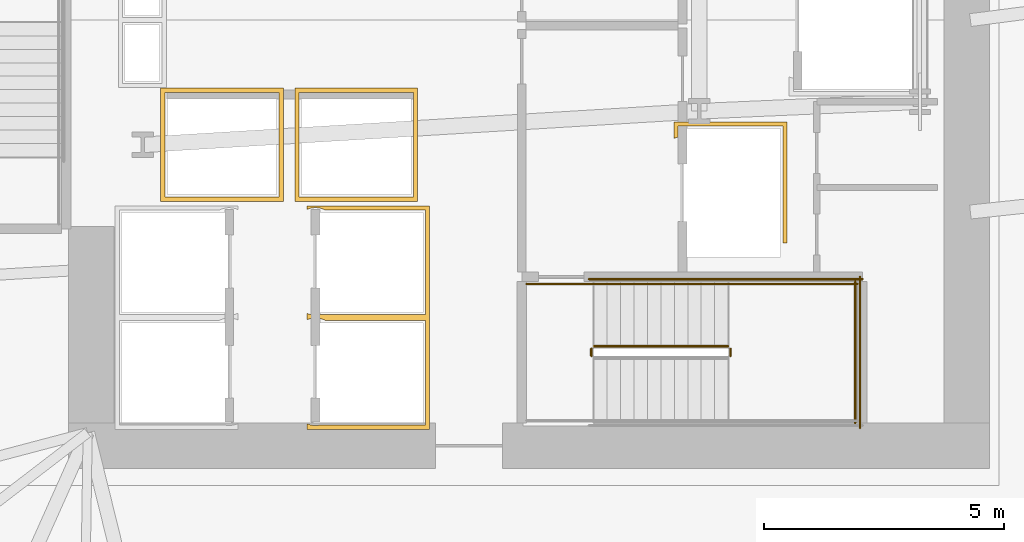
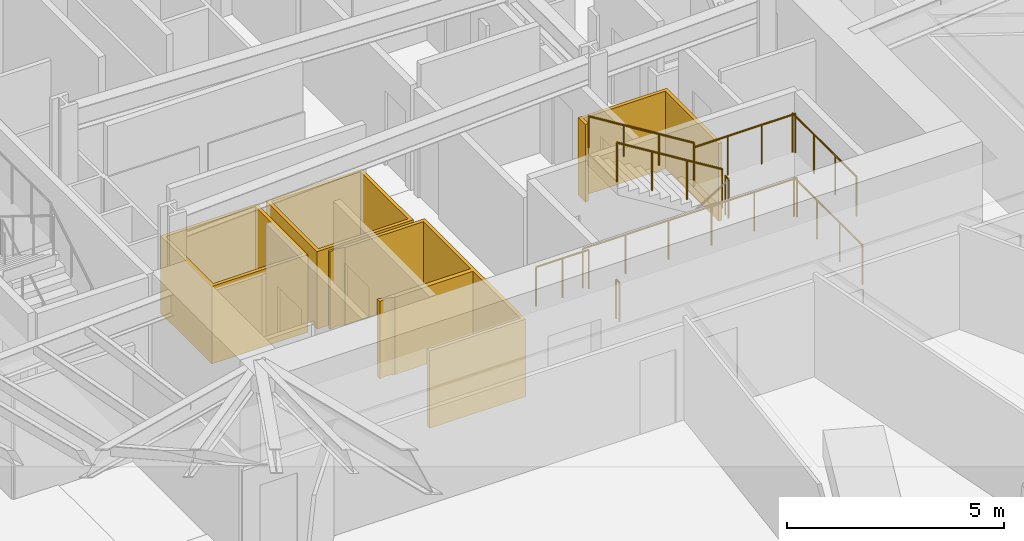
# One storey, part 13 of 17: 9 railings, 4 coverings.
"""IFC4 building model written with IfcOpenShell, lengths in metres."""

from ifc_helpers import new_model, si_unit, direction, frame, origin, origin_2d, place, context, subcontext, project, spatial, polyline, circle, outline, extrude, material, layer, layer_set, type_object, element, save


model = new_model("IFC4")

# Units and contexts
model_context = context("Model", 3, precision=1e-05, world=origin(), true_north=direction((0.0, 1.0)))
body_context = subcontext(model_context, "Body", "Model", "MODEL_VIEW")
ifc_project = project(units=[si_unit("LENGTHUNIT", "METRE"), si_unit("AREAUNIT", "SQUARE_METRE"), si_unit("VOLUMEUNIT", "CUBIC_METRE"), si_unit("PLANEANGLEUNIT", "RADIAN"), si_unit("MASSUNIT", "GRAM", prefix="KILO")], contexts=[model_context])

# Site, building, storey
site_placement = place(None, origin())
site = spatial("IfcSite", under=ifc_project, at=site_placement, CompositionType="ELEMENT")
building_placement = place(site_placement, origin())
building = spatial("IfcBuilding", under=site, at=building_placement, Name="Valkerne Bourse Tower", CompositionType="ELEMENT")
storey_placement = place(building_placement, frame((0.0, 0.0, 116.199951171875)))
storey = spatial("IfcBuildingStorey", under=building, at=storey_placement, Name="L29", CompositionType="ELEMENT", Elevation=116.199951171875)

# Coverings
ifc_material_1 = material(Name="Gypsum Shaftwall Liner Board", Category="gypsum")
ifc_layer = layer(ifc_material_1, 0.080078125)
ifc_layer_set = layer_set([ifc_layer], Name="Gypsum Shaftwall Liner Board")
covering_type = type_object("IfcCoveringType", Name="COV-SHF-CLAD", PredefinedType="CLADDING", material=ifc_layer_set)
covering_1_placement = place(storey_placement, origin())
element("IfcCovering", 1, at=covering_1_placement, inside=storey, type_object=covering_type, Name="L29 Hoistway & Riser Shaftwall Liner 02", PredefinedType="CLADDING", context=body_context, shape_type="SweptSolid", body=[
    extrude(outline(polyline([(41.679931640625, 23.219970703125), (39.1201171875, 23.219970703125), (39.1201171875, 25.580078125), (41.679931640625, 25.580078125), (41.679931640625, 23.219970703125)]), holes=[polyline([(39.2099609375, 25.489990234375), (39.2099609375, 23.31005859375), (41.590087890625, 23.31005859375), (41.590087890625, 25.489990234375), (39.2099609375, 25.489990234375)])]), origin(), (0.0, 0.0, 1.0), 2.179931640625),
])
covering_2_placement = place(storey_placement, origin())
element("IfcCovering", 2, at=covering_2_placement, inside=storey, type_object=covering_type, Name="L29 Hoistway & Riser Shaftwall Liner 03", PredefinedType="CLADDING", context=body_context, shape_type="SweptSolid", body=[
    extrude(outline(polyline([(44.47998046875, 23.219970703125), (41.919921875, 23.219970703125), (41.919921875, 25.580078125), (44.47998046875, 25.580078125), (44.47998046875, 23.219970703125)]), holes=[polyline([(42.010009765625, 25.489990234375), (42.010009765625, 23.31005859375), (44.389892578125, 23.31005859375), (44.389892578125, 25.489990234375), (42.010009765625, 25.489990234375)])]), origin(), (0.0, 0.0, 1.0), 2.179931640625),
])
covering_3_placement = place(storey_placement, origin())
element("IfcCovering", 3, at=covering_3_placement, inside=storey, type_object=covering_type, Name="L29 Hoistway & Riser Shaftwall Liner 06", PredefinedType="CLADDING", context=body_context, shape_type="SweptSolid", body=[
    extrude(outline(polyline([(42.169921875, 20.830078125), (42.169921875, 20.887939453125), (42.177734375, 20.88427734375), (42.219482421875, 20.869384765625), (42.26220703125, 20.858642578125), (42.305908203125, 20.852294921875), (42.35009765625, 20.85009765625), (42.39404296875, 20.852294921875), (42.437744140625, 20.858642578125), (42.443115234375, 20.860107421875), (44.639892578125, 20.860107421875), (44.639892578125, 23.0400390625), (42.555419921875, 23.0400390625), (42.522216796875, 23.0556640625), (42.480712890625, 23.070556640625), (42.437744140625, 23.081298828125), (42.39404296875, 23.087890625), (42.35009765625, 23.090087890625), (42.305908203125, 23.087890625), (42.26220703125, 23.081298828125), (42.219482421875, 23.070556640625), (42.177734375, 23.0556640625), (42.169921875, 23.052001953125), (42.169921875, 23.1298828125), (44.72998046875, 23.1298828125), (44.72998046875, 20.830078125), (44.72998046875, 20.77001953125), (44.72998046875, 18.469970703125), (42.169921875, 18.469970703125), (42.169921875, 18.587890625), (42.177734375, 18.584228515625), (42.219482421875, 18.5693359375), (42.26220703125, 18.55859375), (42.305908203125, 18.55224609375), (42.35009765625, 18.550048828125), (42.39404296875, 18.55224609375), (42.437744140625, 18.55859375), (42.443115234375, 18.56005859375), (44.639892578125, 18.56005859375), (44.639892578125, 20.739990234375), (42.555419921875, 20.739990234375), (42.522216796875, 20.755615234375), (42.480712890625, 20.7705078125), (42.437744140625, 20.781494140625), (42.39404296875, 20.787841796875), (42.35009765625, 20.7900390625), (42.305908203125, 20.787841796875), (42.26220703125, 20.781494140625), (42.219482421875, 20.7705078125), (42.177734375, 20.755615234375), (42.169921875, 20.752197265625), (42.169921875, 20.77001953125), (42.169921875, 20.830078125)])), origin(), (0.0, 0.0, 1.0), 2.179931640625),
])
covering_4_placement = place(storey_placement, origin())
element("IfcCovering", 4, at=covering_4_placement, inside=storey, type_object=covering_type, Name="L29 Hoistway & Riser Shaftwall Liner 07", PredefinedType="CLADDING", context=body_context, shape_type="SweptSolid", body=[
    extrude(outline(polyline([(52.179931640625, 22.35009765625), (52.090087890625, 22.35009765625), (52.090087890625, 24.7900390625), (49.909912109375, 24.7900390625), (49.909912109375, 24.560791015625), (49.869384765625, 24.550537109375), (49.827880859375, 24.53564453125), (49.820068359375, 24.531982421875), (49.820068359375, 24.8798828125), (52.179931640625, 24.8798828125), (52.179931640625, 22.35009765625)])), origin(), (0.0, 0.0, 1.0), 2.179931640625),
])

# Railings
ifc_material_2 = material(Name="Galvanised Painted Steel", Category="steel")
railing_type_1 = type_object("IfcRailingType", Name="RLG-ST-GUARD-1120", PredefinedType="GUARDRAIL", material=ifc_material_2)
railing_1_placement = place(storey_placement, frame((51.0, 20.0, 1.900146484375)))
element("IfcRailing", 5, at=railing_1_placement, inside=storey, type_object=railing_type_1, Name="L29 ST-1 stair guard 2", PredefinedType="GUARDRAIL", context=body_context, shape_type="SweptSolid", body=[
    extrude(circle(Radius=0.02392578125, at=origin_2d()), frame((0.0, 0.0, 1.09619140625), z_axis=(0.0, 1.0, 0.0), x_axis=(-1.0, 0.0, 0.0)), (0.0, 0.0, 1.0), 0.14990234375),
    extrude(circle(Radius=0.02099609375, at=origin_2d()), origin(), (0.0, 0.0, 1.0), 1.072021484375),
    extrude(circle(Radius=0.02099609375, at=origin_2d()), frame((0.0, 0.14990234375, 0.0)), (0.0, 0.0, 1.0), 1.072021484375),
])
railing_2_placement = place(storey_placement, frame((50.949951171875, 21.5, 1.900146484375)))
element("IfcRailing", 6, at=railing_2_placement, inside=storey, type_object=railing_type_1, Name="L29 ST-1 stair guard 4", PredefinedType="GUARDRAIL", context=body_context, shape_type="SweptSolid", body=[
    extrude(circle(Radius=0.02392578125, at=origin_2d()), frame((0.0, 0.0, 1.09619140625), z_axis=(1.0, 0.0, 0.0), x_axis=(0.0, 1.0, 0.0)), (0.0, 0.0, 1.0), 2.699951171875),
    extrude(circle(Radius=0.02099609375, at=origin_2d()), origin(), (0.0, 0.0, 1.0), 1.072021484375),
    extrude(circle(Radius=0.02099609375, at=origin_2d()), frame((0.89990234375, 0.0, 0.0)), (0.0, 0.0, 1.0), 1.072021484375),
    extrude(circle(Radius=0.02099609375, at=origin_2d()), frame((1.800048828125, 0.0, 0.0)), (0.0, 0.0, 1.0), 1.072021484375),
    extrude(circle(Radius=0.02099609375, at=origin_2d()), frame((2.699951171875, 0.0, 0.0)), (0.0, 0.0, 1.0), 1.072021484375),
])
railing_3_placement = place(storey_placement, frame((53.60009765625, 18.60009765625, 1.900146484375)))
element("IfcRailing", 7, at=railing_3_placement, inside=storey, type_object=railing_type_1, Name="L29 ST-1 stair guard 5", PredefinedType="GUARDRAIL", context=body_context, shape_type="SweptSolid", body=[
    extrude(circle(Radius=0.02392578125, at=origin_2d()), frame((0.0, 0.0, 1.09619140625), z_axis=(0.0, 1.0, 0.0), x_axis=(-1.0, 0.0, 0.0)), (0.0, 0.0, 1.0), 2.949951171875),
    extrude(circle(Radius=0.02099609375, at=origin_2d()), origin(), (0.0, 0.0, 1.0), 1.072021484375),
    extrude(circle(Radius=0.02099609375, at=origin_2d()), frame((0.0, 0.9833984375, 0.0)), (0.0, 0.0, 1.0), 1.072021484375),
    extrude(circle(Radius=0.02099609375, at=origin_2d()), frame((0.0, 1.966552734375, 0.0)), (0.0, 0.0, 1.0), 1.072021484375),
    extrude(circle(Radius=0.02099609375, at=origin_2d()), frame((0.0, 2.949951171875, 0.0)), (0.0, 0.0, 1.0), 1.072021484375),
])
railing_4_placement = place(storey_placement, frame((50.949951171875, 20.199951171875, 2.07275390625)))
element("IfcRailing", 8, at=railing_4_placement, inside=storey, type_object=railing_type_1, Name="L29 ST-1 stair guard 6", PredefinedType="GUARDRAIL", context=body_context, shape_type="SweptSolid", body=[
    extrude(circle(Radius=0.02392578125, at=origin_2d()), frame((0.0, 0.0, 1.09619140625), z_axis=(-0.851089632645, 0.0, 0.525020415988), x_axis=(0.0, -1.0, 0.0)), (0.0, 0.0, 1.0), 3.2900390625),
    extrude(circle(Radius=0.02099609375, at=origin_2d()), origin(), (0.0, 0.0, 1.0), 1.072021484375),
    extrude(circle(Radius=0.02099609375, at=origin_2d()), frame((-0.933349609375, 0.0, 0.57568359375)), (0.0, 0.0, 1.0), 1.072021484375),
    extrude(circle(Radius=0.02099609375, at=origin_2d()), frame((-1.86669921875, 0.0, 1.151611328125)), (0.0, 0.0, 1.0), 1.072021484375),
    extrude(circle(Radius=0.02099609375, at=origin_2d()), frame((-2.800048828125, 0.0, 1.727294921875)), (0.0, 0.0, 1.0), 1.072021484375),
])
railing_5_placement = place(storey_placement, frame((48.10009765625, 20.0, 0.0)))
element("IfcRailing", 9, at=railing_5_placement, inside=storey, type_object=railing_type_1, Name="L29 ST-1 stair guard 7", PredefinedType="GUARDRAIL", context=body_context, shape_type="SweptSolid", body=[
    extrude(circle(Radius=0.02392578125, at=origin_2d()), frame((0.0, 0.0, 1.09619140625), z_axis=(0.0, 1.0, 0.0), x_axis=(-1.0, 0.0, 0.0)), (0.0, 0.0, 1.0), 0.14990234375),
    extrude(circle(Radius=0.02099609375, at=origin_2d()), origin(), (0.0, 0.0, 1.0), 1.072021484375),
    extrude(circle(Radius=0.02099609375, at=origin_2d()), frame((0.0, 0.14990234375, 0.0)), (0.0, 0.0, 1.0), 1.072021484375),
])
railing_6_placement = place(storey_placement, frame((46.75, 21.5, 0.0)))
element("IfcRailing", 10, at=railing_6_placement, inside=storey, type_object=railing_type_1, Name="L29 ST-1 stair guard 9", PredefinedType="GUARDRAIL", context=body_context, shape_type="SweptSolid", body=[
    extrude(circle(Radius=0.02392578125, at=origin_2d()), frame((0.0, 0.0, 1.09619140625), z_axis=(1.0, 0.0, 0.0), x_axis=(0.0, 1.0, 0.0)), (0.0, 0.0, 1.0), 1.39990234375),
    extrude(circle(Radius=0.02099609375, at=origin_2d()), origin(), (0.0, 0.0, 1.0), 1.072021484375),
    extrude(circle(Radius=0.02099609375, at=origin_2d()), frame((0.699951171875, 0.0, 0.0)), (0.0, 0.0, 1.0), 1.072021484375),
    extrude(circle(Radius=0.02099609375, at=origin_2d()), frame((1.39990234375, 0.0, 0.0)), (0.0, 0.0, 1.0), 1.072021484375),
])
railing_7_placement = place(storey_placement, frame((48.050048828125, 21.60009765625, 0.0)))
element("IfcRailing", 11, at=railing_7_placement, inside=storey, type_object=railing_type_1, Name="L29 ST-1 stair guard 11", PredefinedType="GUARDRAIL", context=body_context, shape_type="SweptSolid", body=[
    extrude(circle(Radius=0.02392578125, at=origin_2d()), frame((0.0, 0.0, 1.09619140625), z_axis=(1.0, 0.0, 0.0), x_axis=(0.0, 1.0, 0.0)), (0.0, 0.0, 1.0), 5.699951171875),
    extrude(circle(Radius=0.02099609375, at=origin_2d()), origin(), (0.0, 0.0, 1.0), 1.072021484375),
    extrude(circle(Radius=0.02099609375, at=origin_2d()), frame((1.139892578125, 0.0, 0.0)), (0.0, 0.0, 1.0), 1.072021484375),
    extrude(circle(Radius=0.02099609375, at=origin_2d()), frame((2.280029296875, 0.0, 0.0)), (0.0, 0.0, 1.0), 1.072021484375),
    extrude(circle(Radius=0.02099609375, at=origin_2d()), frame((3.419921875, 0.0, 0.0)), (0.0, 0.0, 1.0), 1.072021484375),
    extrude(circle(Radius=0.02099609375, at=origin_2d()), frame((4.56005859375, 0.0, 0.0)), (0.0, 0.0, 1.0), 1.072021484375),
    extrude(circle(Radius=0.02099609375, at=origin_2d()), frame((5.699951171875, 0.0, 0.0)), (0.0, 0.0, 1.0), 1.072021484375),
])
railing_8_placement = place(storey_placement, frame((53.699951171875, 18.5, 0.0)))
element("IfcRailing", 12, at=railing_8_placement, inside=storey, type_object=railing_type_1, Name="L29 ST-1 stair guard 12", PredefinedType="GUARDRAIL", context=body_context, shape_type="SweptSolid", body=[
    extrude(circle(Radius=0.02392578125, at=origin_2d()), frame((0.0, 0.0, 1.09619140625), z_axis=(0.0, 1.0, 0.0), x_axis=(-1.0, 0.0, 0.0)), (0.0, 0.0, 1.0), 3.14990234375),
    extrude(circle(Radius=0.02099609375, at=origin_2d()), origin(), (0.0, 0.0, 1.0), 1.072021484375),
    extrude(circle(Radius=0.02099609375, at=origin_2d()), frame((0.0, 1.050048828125, 0.0)), (0.0, 0.0, 1.0), 1.072021484375),
    extrude(circle(Radius=0.02099609375, at=origin_2d()), frame((0.0, 2.099853515625, 0.0)), (0.0, 0.0, 1.0), 1.072021484375),
    extrude(circle(Radius=0.02099609375, at=origin_2d()), frame((0.0, 3.14990234375, 0.0)), (0.0, 0.0, 1.0), 1.072021484375),
])
ifc_material_3 = material(Name="Stainless Steel AISI 316", Category="steel")
railing_type_2 = type_object("IfcRailingType", Name="RLG-ST-HANDRAIL-900", PredefinedType="HANDRAIL", material=ifc_material_3)
railing_9_placement = place(storey_placement, frame((50.949951171875, 21.5, 2.24560546875)))
element("IfcRailing", 13, at=railing_9_placement, inside=storey, type_object=railing_type_2, Name="L29 ST-1 stair handrail 2", PredefinedType="HANDRAIL", context=body_context, shape_type="SweptSolid", body=[
    extrude(circle(Radius=0.02392578125, at=origin_2d()), frame((0.0, 0.0, 0.8759765625), z_axis=(-0.851122791225, 0.0, 0.524966660138), x_axis=(0.0, -1.0, 0.0)), (0.0, 0.0, 1.0), 3.289794921875),
    extrude(circle(Radius=0.02099609375, at=origin_2d()), origin(), (0.0, 0.0, 1.0), 0.851806640625),
    extrude(circle(Radius=0.02099609375, at=origin_2d()), frame((-0.933349609375, 0.0, 0.57568359375)), (0.0, 0.0, 1.0), 0.851806640625),
    extrude(circle(Radius=0.02099609375, at=origin_2d()), frame((-1.86669921875, 0.0, 1.1513671875)), (0.0, 0.0, 1.0), 0.851806640625),
    extrude(circle(Radius=0.02099609375, at=origin_2d()), frame((-2.800048828125, 0.0, 1.72705078125)), (0.0, 0.0, 1.0), 0.851806640625),
])

save(model, "model.ifc")
